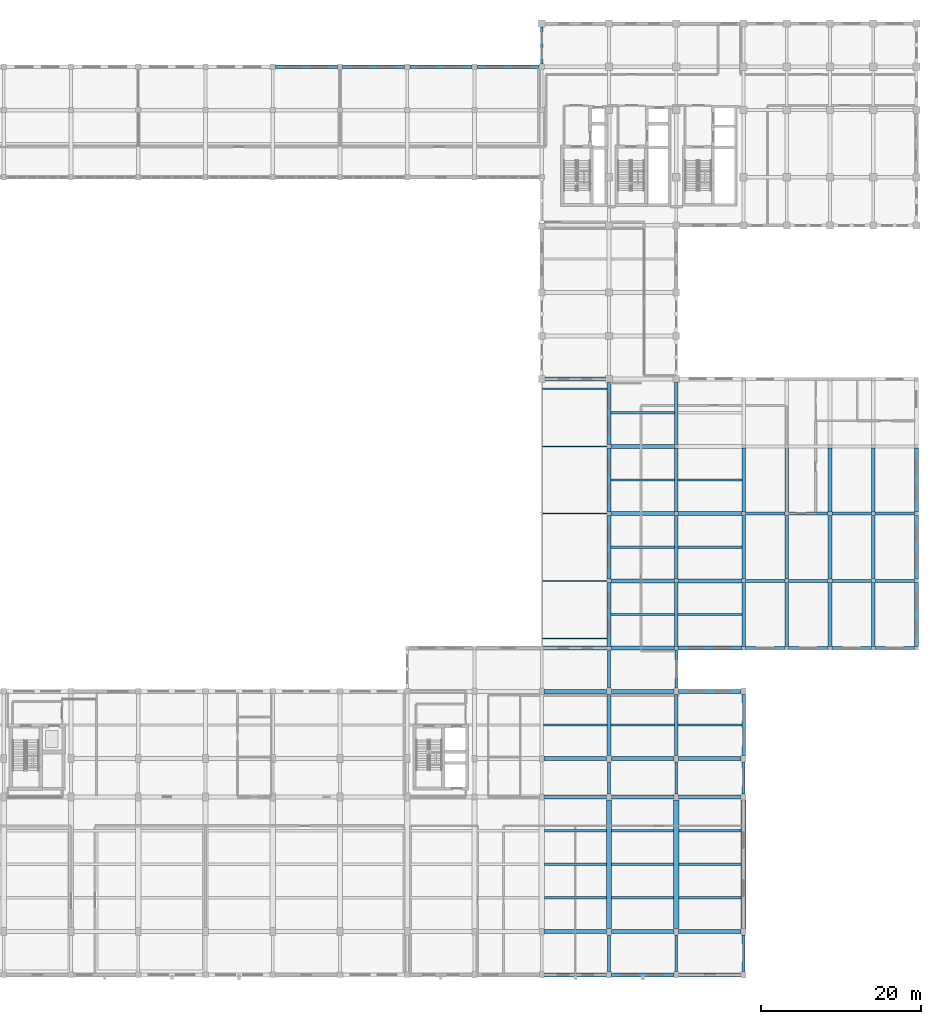
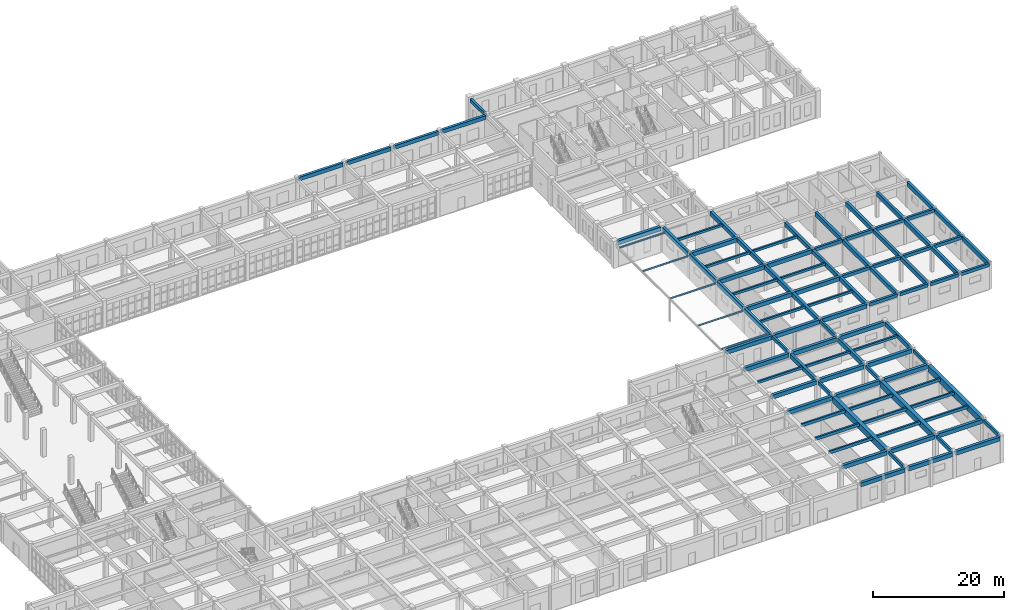
# One storey, part 41 of 80: 97 beams, 5 members.
"""IFC4 building model written with IfcOpenShell, lengths in metres."""

from ifc_helpers import new_model, si_unit, direction, frame, origin, origin_2d, place, context, subcontext, project, spatial, rectangle, i_section, extrude, material, material_profile, profile_set, type_object, element, save


model = new_model("IFC4")

# Units and contexts
model_context = context("Model", 3, precision=1e-05, world=origin(), true_north=direction((0.0, 1.0)))
body_context = subcontext(model_context, "Body", "Model", "MODEL_VIEW")
ifc_project = project(units=[si_unit("LENGTHUNIT", "METRE"), si_unit("AREAUNIT", "SQUARE_METRE"), si_unit("VOLUMEUNIT", "CUBIC_METRE"), si_unit("PLANEANGLEUNIT", "RADIAN"), si_unit("MASSUNIT", "GRAM", prefix="KILO")], contexts=[model_context])

# Site, building, storey
site_placement = place(None, origin())
site = spatial("IfcSite", under=ifc_project, at=site_placement, CompositionType="ELEMENT")
building_placement = place(site_placement, origin())
building = spatial("IfcBuilding", under=site, at=building_placement, Name="Krzemoval Escarpment Law Courts", CompositionType="ELEMENT")
storey_placement = place(building_placement, origin())
storey = spatial("IfcBuildingStorey", under=building, at=storey_placement, Name="L00", CompositionType="ELEMENT", Elevation=0.0)

# Beams
ifc_material_1 = material(Name="Concrete C50/60", Category="concrete")
ifc_material_profile_1 = material_profile(ifc_material_1, rectangle(XDim=0.64990234375, YDim=1.14990234375, at=origin_2d()), Name="PTG 650x1150")
ifc_profile_set_1 = profile_set([ifc_material_profile_1], Name="Concrete C50/60")
beam_type_1 = type_object("IfcBeamType", Name="BM-PTG-650x1150", PredefinedType="BEAM", material=ifc_profile_set_1)
for number, where, z_axis, x_axis, name in (
    (1, (134.39990234375, 5.800048828125, 4.2451171875), (0.0, 1.0, 0.0), (-1.0, 0.0, 0.0), "Beam FG-L00-0963"),
    (2, (142.800048828125, 5.800048828125, 4.2451171875), (0.0, 1.0, 0.0), (-1.0, 0.0, 0.0), "Beam FG-L00-0979"),
    (3, (151.199951171875, 5.800048828125, 4.2451171875), (0.0, 1.0, 0.0), (-1.0, 0.0, 0.0), "Beam FG-L00-0995"),
):
    element("IfcBeam", number, at=place(storey_placement, frame(where, z_axis=z_axis, x_axis=x_axis)), inside=storey, type_object=beam_type_1, Name=name, PredefinedType="BEAM", context=body_context, shape_type="SweptSolid", body=[
        extrude(rectangle(XDim=0.64990234375, YDim=1.14990234375, at=origin_2d()), origin(), (0.0, 0.0, 1.0), 16.0),
    ])
ifc_material_2 = material(Name="Concrete C40/50", Category="concrete")
ifc_material_profile_2 = material_profile(ifc_material_2, rectangle(XDim=0.35009765625, YDim=0.64990234375, at=origin_2d()), Name="RCB 350x650")
ifc_profile_set_2 = profile_set([ifc_material_profile_2], Name="Concrete C40/50")
beam_type_2 = type_object("IfcBeamType", Name="BM-RC-350x650", PredefinedType="BEAM", material=ifc_profile_set_2)
beam_1_placement = place(storey_placement, frame((126.0, 113.72509765625, 4.4951171875), z_axis=(0.0, 1.0, 0.0), x_axis=(-1.0, 0.0, 0.0)))
element("IfcBeam", 4, at=beam_1_placement, inside=storey, type_object=beam_type_2, Name="Beam FG-L00-0961", PredefinedType="BEAM", context=body_context, shape_type="SweptSolid", body=[
    extrude(rectangle(XDim=0.35009765625, YDim=0.64990234375, at=origin_2d()), origin(), (0.0, 0.0, 1.0), 4.625),
])
beam_2_placement = place(storey_placement, frame((134.39990234375, 0.39990234375, 4.4951171875), z_axis=(0.0, 1.0, 0.0), x_axis=(-1.0, 0.0, 0.0)))
element("IfcBeam", 5, at=beam_2_placement, inside=storey, type_object=beam_type_2, Name="Beam FG-L00-0962", PredefinedType="BEAM", context=body_context, shape_type="SweptSolid", body=[
    extrude(rectangle(XDim=0.35009765625, YDim=0.64990234375, at=origin_2d()), origin(), (0.0, 0.0, 1.0), 4.60009765625),
])
beam_3_placement = place(storey_placement, frame((134.39990234375, 22.60009765625, 4.4951171875), z_axis=(0.0, 1.0, 0.0), x_axis=(-1.0, 0.0, 0.0)))
element("IfcBeam", 6, at=beam_3_placement, inside=storey, type_object=beam_type_2, Name="Beam FG-L00-0964", PredefinedType="BEAM", context=body_context, shape_type="SweptSolid", body=[
    extrude(rectangle(XDim=0.35009765625, YDim=0.64990234375, at=origin_2d()), origin(), (0.0, 0.0, 1.0), 4.0),
])
beam_4_placement = place(storey_placement, frame((134.39990234375, 35.800048828125, 4.4951171875), z_axis=(0.0, 1.0, 0.0), x_axis=(-1.0, 0.0, 0.0)))
element("IfcBeam", 7, at=beam_4_placement, inside=storey, type_object=beam_type_2, Name="Beam FG-L00-0966", PredefinedType="BEAM", context=body_context, shape_type="SweptSolid", body=[
    extrude(rectangle(XDim=0.35009765625, YDim=0.64990234375, at=origin_2d()), origin(), (0.0, 0.0, 1.0), 4.77490234375),
])
beam_5_placement = place(storey_placement, frame((142.800048828125, 0.39990234375, 4.4951171875), z_axis=(0.0, 1.0, 0.0), x_axis=(-1.0, 0.0, 0.0)))
element("IfcBeam", 8, at=beam_5_placement, inside=storey, type_object=beam_type_2, Name="Beam FG-L00-0978", PredefinedType="BEAM", context=body_context, shape_type="SweptSolid", body=[
    extrude(rectangle(XDim=0.35009765625, YDim=0.64990234375, at=origin_2d()), origin(), (0.0, 0.0, 1.0), 4.60009765625),
])
beam_6_placement = place(storey_placement, frame((142.800048828125, 22.60009765625, 4.4951171875), z_axis=(0.0, 1.0, 0.0), x_axis=(-1.0, 0.0, 0.0)))
element("IfcBeam", 9, at=beam_6_placement, inside=storey, type_object=beam_type_2, Name="Beam FG-L00-0980", PredefinedType="BEAM", context=body_context, shape_type="SweptSolid", body=[
    extrude(rectangle(XDim=0.35009765625, YDim=0.64990234375, at=origin_2d()), origin(), (0.0, 0.0, 1.0), 4.0),
])
beam_7_placement = place(storey_placement, frame((142.800048828125, 35.800048828125, 4.4951171875), z_axis=(0.0, 1.0, 0.0), x_axis=(-1.0, 0.0, 0.0)))
element("IfcBeam", 10, at=beam_7_placement, inside=storey, type_object=beam_type_2, Name="Beam FG-L00-0982", PredefinedType="BEAM", context=body_context, shape_type="SweptSolid", body=[
    extrude(rectangle(XDim=0.35009765625, YDim=0.64990234375, at=origin_2d()), origin(), (0.0, 0.0, 1.0), 4.77490234375),
])
beam_8_placement = place(storey_placement, frame((151.199951171875, 0.39990234375, 4.4951171875), z_axis=(0.0, 1.0, 0.0), x_axis=(-1.0, 0.0, 0.0)))
element("IfcBeam", 11, at=beam_8_placement, inside=storey, type_object=beam_type_2, Name="Beam FG-L00-0994", PredefinedType="BEAM", context=body_context, shape_type="SweptSolid", body=[
    extrude(rectangle(XDim=0.35009765625, YDim=0.64990234375, at=origin_2d()), origin(), (0.0, 0.0, 1.0), 4.60009765625),
])
beam_9_placement = place(storey_placement, frame((151.199951171875, 22.60009765625, 4.4951171875), z_axis=(0.0, 1.0, 0.0), x_axis=(-1.0, 0.0, 0.0)))
element("IfcBeam", 12, at=beam_9_placement, inside=storey, type_object=beam_type_2, Name="Beam FG-L00-0996", PredefinedType="BEAM", context=body_context, shape_type="SweptSolid", body=[
    extrude(rectangle(XDim=0.35009765625, YDim=0.64990234375, at=origin_2d()), origin(), (0.0, 0.0, 1.0), 4.0),
])
ifc_material_3 = material(Name="Concrete C40/50", Category="concrete")
ifc_material_profile_3 = material_profile(ifc_material_3, rectangle(XDim=0.39990234375, YDim=0.60009765625, at=origin_2d()), Name="RCB 400x600")
ifc_profile_set_3 = profile_set([ifc_material_profile_3], Name="Concrete C40/50")
beam_type_3 = type_object("IfcBeamType", Name="BM-RC-400x600", PredefinedType="BEAM", material=ifc_profile_set_3)
for number, where, z_axis, x_axis, name in (
    (13, (151.425048828125, 40.800048828125, 4.52001953125), (1.0, 0.0, 0.0), (0.0, 1.0, 0.0), "Beam FG-L00-0683"),
    (14, (156.824951171875, 40.800048828125, 4.52001953125), (1.0, 0.0, 0.0), (0.0, 1.0, 0.0), "Beam FG-L00-0684"),
    (15, (162.22509765625, 40.800048828125, 4.52001953125), (1.0, 0.0, 0.0), (0.0, 1.0, 0.0), "Beam FG-L00-0685"),
    (16, (167.625, 40.800048828125, 4.52001953125), (1.0, 0.0, 0.0), (0.0, 1.0, 0.0), "Beam FG-L00-0686"),
    (17, (151.425048828125, 49.199951171875, 4.52001953125), (1.0, 0.0, 0.0), (0.0, 1.0, 0.0), "Beam FG-L00-0693"),
    (18, (156.824951171875, 49.199951171875, 4.52001953125), (1.0, 0.0, 0.0), (0.0, 1.0, 0.0), "Beam FG-L00-0694"),
    (19, (162.22509765625, 49.199951171875, 4.52001953125), (1.0, 0.0, 0.0), (0.0, 1.0, 0.0), "Beam FG-L00-0695"),
    (20, (167.625, 49.199951171875, 4.52001953125), (1.0, 0.0, 0.0), (0.0, 1.0, 0.0), "Beam FG-L00-0696"),
    (21, (151.425048828125, 57.60009765625, 4.52001953125), (1.0, 0.0, 0.0), (0.0, 1.0, 0.0), "Beam FG-L00-0701"),
    (22, (156.824951171875, 57.60009765625, 4.52001953125), (1.0, 0.0, 0.0), (0.0, 1.0, 0.0), "Beam FG-L00-0702"),
    (23, (162.22509765625, 57.60009765625, 4.52001953125), (1.0, 0.0, 0.0), (0.0, 1.0, 0.0), "Beam FG-L00-0703"),
    (24, (167.625, 57.60009765625, 4.52001953125), (1.0, 0.0, 0.0), (0.0, 1.0, 0.0), "Beam FG-L00-0704"),
):
    element("IfcBeam", number, at=place(storey_placement, frame(where, z_axis=z_axis, x_axis=x_axis)), inside=storey, type_object=beam_type_3, Name=name, PredefinedType="BEAM", context=body_context, shape_type="SweptSolid", body=[
        extrude(rectangle(XDim=0.39990234375, YDim=0.60009765625, at=origin_2d()), origin(), (0.0, 0.0, 1.0), 4.949951171875),
    ])
ifc_material_4 = material(Name="Concrete C40/50", Category="concrete")
ifc_material_profile_4 = material_profile(ifc_material_4, rectangle(XDim=0.449951171875, YDim=0.699951171875, at=origin_2d()), Name="RCB 450x700")
ifc_profile_set_4 = profile_set([ifc_material_profile_4], Name="Concrete C40/50")
beam_type_4 = type_object("IfcBeamType", Name="BM-RC-450x700", PredefinedType="BEAM", material=ifc_profile_set_4)
for number, where, z_axis, x_axis, name in (
    (25, (92.72509765625, 113.39990234375, 4.469970703125), (1.0, 0.0, 0.0), (0.0, 1.0, 0.0), "Beam FG-L00-0790"),
    (26, (101.125, 113.39990234375, 4.469970703125), (1.0, 0.0, 0.0), (0.0, 1.0, 0.0), "Beam FG-L00-0791"),
    (27, (109.52490234375, 113.39990234375, 4.469970703125), (1.0, 0.0, 0.0), (0.0, 1.0, 0.0), "Beam FG-L00-0792"),
    (28, (117.925048828125, 113.39990234375, 4.469970703125), (1.0, 0.0, 0.0), (0.0, 1.0, 0.0), "Beam FG-L00-0793"),
):
    element("IfcBeam", number, at=place(storey_placement, frame(where, z_axis=z_axis, x_axis=x_axis)), inside=storey, type_object=beam_type_4, Name=name, PredefinedType="BEAM", context=body_context, shape_type="SweptSolid", body=[
        extrude(rectangle(XDim=0.449951171875, YDim=0.699951171875, at=origin_2d()), origin(), (0.0, 0.0, 1.0), 7.75),
    ])
ifc_material_5 = material(Name="Concrete C40/50", Category="concrete")
ifc_material_profile_5 = material_profile(ifc_material_5, rectangle(XDim=0.449951171875, YDim=0.800048828125, at=origin_2d()), Name="RCB 450x800")
ifc_profile_set_5 = profile_set([ifc_material_profile_5], Name="Concrete C40/50")
beam_type_5 = type_object("IfcBeamType", Name="BM-RC-450x800", PredefinedType="BEAM", material=ifc_profile_set_5)
beam_10_placement = place(storey_placement, frame((134.39990234375, 27.39990234375, 4.419921875), z_axis=(0.0, 1.0, 0.0), x_axis=(-1.0, 0.0, 0.0)))
element("IfcBeam", 29, at=beam_10_placement, inside=storey, type_object=beam_type_5, Name="Beam FG-L00-0965", PredefinedType="BEAM", context=body_context, shape_type="SweptSolid", body=[
    extrude(rectangle(XDim=0.449951171875, YDim=0.800048828125, at=origin_2d()), origin(), (0.0, 0.0, 1.0), 7.60009765625),
])
beam_11_placement = place(storey_placement, frame((134.39990234375, 41.02490234375, 4.419921875), z_axis=(0.0, 1.0, 0.0), x_axis=(-1.0, 0.0, 0.0)))
element("IfcBeam", 30, at=beam_11_placement, inside=storey, type_object=beam_type_5, Name="Beam FG-L00-0967", PredefinedType="BEAM", context=body_context, shape_type="SweptSolid", body=[
    extrude(rectangle(XDim=0.449951171875, YDim=0.800048828125, at=origin_2d()), origin(), (0.0, 0.0, 1.0), 7.9501953125),
])
for number, where, z_axis, x_axis, name in (
    (31, (134.39990234375, 49.425048828125, 4.419921875), (0.0, 1.0, 0.0), (-1.0, 0.0, 0.0), "Beam FG-L00-0968"),
    (32, (134.39990234375, 57.824951171875, 4.419921875), (0.0, 1.0, 0.0), (-1.0, 0.0, 0.0), "Beam FG-L00-0969"),
):
    element("IfcBeam", number, at=place(storey_placement, frame(where, z_axis=z_axis, x_axis=x_axis)), inside=storey, type_object=beam_type_5, Name=name, PredefinedType="BEAM", context=body_context, shape_type="SweptSolid", body=[
        extrude(rectangle(XDim=0.449951171875, YDim=0.800048828125, at=origin_2d()), origin(), (0.0, 0.0, 1.0), 7.949951171875),
    ])
beam_12_placement = place(storey_placement, frame((134.39990234375, 66.22509765625, 4.419921875), z_axis=(0.0, 1.0, 0.0), x_axis=(-1.0, 0.0, 0.0)))
element("IfcBeam", 33, at=beam_12_placement, inside=storey, type_object=beam_type_5, Name="Beam FG-L00-0970", PredefinedType="BEAM", context=body_context, shape_type="SweptSolid", body=[
    extrude(rectangle(XDim=0.449951171875, YDim=0.800048828125, at=origin_2d()), origin(), (0.0, 0.0, 1.0), 7.75),
])
beam_13_placement = place(storey_placement, frame((142.800048828125, 27.39990234375, 4.419921875), z_axis=(0.0, 1.0, 0.0), x_axis=(-1.0, 0.0, 0.0)))
element("IfcBeam", 34, at=beam_13_placement, inside=storey, type_object=beam_type_5, Name="Beam FG-L00-0981", PredefinedType="BEAM", context=body_context, shape_type="SweptSolid", body=[
    extrude(rectangle(XDim=0.449951171875, YDim=0.800048828125, at=origin_2d()), origin(), (0.0, 0.0, 1.0), 7.60009765625),
])
beam_14_placement = place(storey_placement, frame((142.800048828125, 41.02490234375, 4.419921875), z_axis=(0.0, 1.0, 0.0), x_axis=(-1.0, 0.0, 0.0)))
element("IfcBeam", 35, at=beam_14_placement, inside=storey, type_object=beam_type_5, Name="Beam FG-L00-0983", PredefinedType="BEAM", context=body_context, shape_type="SweptSolid", body=[
    extrude(rectangle(XDim=0.449951171875, YDim=0.800048828125, at=origin_2d()), origin(), (0.0, 0.0, 1.0), 7.9501953125),
])
for number, where, z_axis, x_axis, name in (
    (36, (142.800048828125, 49.425048828125, 4.419921875), (0.0, 1.0, 0.0), (-1.0, 0.0, 0.0), "Beam FG-L00-0984"),
    (37, (142.800048828125, 57.824951171875, 4.419921875), (0.0, 1.0, 0.0), (-1.0, 0.0, 0.0), "Beam FG-L00-0985"),
):
    element("IfcBeam", number, at=place(storey_placement, frame(where, z_axis=z_axis, x_axis=x_axis)), inside=storey, type_object=beam_type_5, Name=name, PredefinedType="BEAM", context=body_context, shape_type="SweptSolid", body=[
        extrude(rectangle(XDim=0.449951171875, YDim=0.800048828125, at=origin_2d()), origin(), (0.0, 0.0, 1.0), 7.949951171875),
    ])
beam_15_placement = place(storey_placement, frame((142.800048828125, 66.22509765625, 4.419921875), z_axis=(0.0, 1.0, 0.0), x_axis=(-1.0, 0.0, 0.0)))
element("IfcBeam", 38, at=beam_15_placement, inside=storey, type_object=beam_type_5, Name="Beam FG-L00-0986", PredefinedType="BEAM", context=body_context, shape_type="SweptSolid", body=[
    extrude(rectangle(XDim=0.449951171875, YDim=0.800048828125, at=origin_2d()), origin(), (0.0, 0.0, 1.0), 7.75),
])
beam_16_placement = place(storey_placement, frame((151.199951171875, 27.39990234375, 4.419921875), z_axis=(0.0, 1.0, 0.0), x_axis=(-1.0, 0.0, 0.0)))
element("IfcBeam", 39, at=beam_16_placement, inside=storey, type_object=beam_type_5, Name="Beam FG-L00-0997", PredefinedType="BEAM", context=body_context, shape_type="SweptSolid", body=[
    extrude(rectangle(XDim=0.449951171875, YDim=0.800048828125, at=origin_2d()), origin(), (0.0, 0.0, 1.0), 7.60009765625),
])
beam_17_placement = place(storey_placement, frame((151.199951171875, 41.02490234375, 4.419921875), z_axis=(0.0, 1.0, 0.0), x_axis=(-1.0, 0.0, 0.0)))
element("IfcBeam", 40, at=beam_17_placement, inside=storey, type_object=beam_type_5, Name="Beam FG-L00-0998", PredefinedType="BEAM", context=body_context, shape_type="SweptSolid", body=[
    extrude(rectangle(XDim=0.449951171875, YDim=0.800048828125, at=origin_2d()), origin(), (0.0, 0.0, 1.0), 7.9501953125),
])
for number, where, z_axis, x_axis, name in (
    (41, (151.199951171875, 49.425048828125, 4.419921875), (0.0, 1.0, 0.0), (-1.0, 0.0, 0.0), "Beam FG-L00-0999"),
    (42, (151.199951171875, 57.824951171875, 4.419921875), (0.0, 1.0, 0.0), (-1.0, 0.0, 0.0), "Beam FG-L00-1000"),
):
    element("IfcBeam", number, at=place(storey_placement, frame(where, z_axis=z_axis, x_axis=x_axis)), inside=storey, type_object=beam_type_5, Name=name, PredefinedType="BEAM", context=body_context, shape_type="SweptSolid", body=[
        extrude(rectangle(XDim=0.449951171875, YDim=0.800048828125, at=origin_2d()), origin(), (0.0, 0.0, 1.0), 7.949951171875),
    ])
beam_18_placement = place(storey_placement, frame((156.60009765625, 41.02490234375, 4.419921875), z_axis=(0.0, 1.0, 0.0), x_axis=(-1.0, 0.0, 0.0)))
element("IfcBeam", 43, at=beam_18_placement, inside=storey, type_object=beam_type_5, Name="Beam FG-L00-1006", PredefinedType="BEAM", context=body_context, shape_type="SweptSolid", body=[
    extrude(rectangle(XDim=0.449951171875, YDim=0.800048828125, at=origin_2d()), origin(), (0.0, 0.0, 1.0), 7.9501953125),
])
for number, where, z_axis, x_axis, name in (
    (44, (156.60009765625, 49.425048828125, 4.419921875), (0.0, 1.0, 0.0), (-1.0, 0.0, 0.0), "Beam FG-L00-1007"),
    (45, (156.60009765625, 57.824951171875, 4.419921875), (0.0, 1.0, 0.0), (-1.0, 0.0, 0.0), "Beam FG-L00-1008"),
):
    element("IfcBeam", number, at=place(storey_placement, frame(where, z_axis=z_axis, x_axis=x_axis)), inside=storey, type_object=beam_type_5, Name=name, PredefinedType="BEAM", context=body_context, shape_type="SweptSolid", body=[
        extrude(rectangle(XDim=0.449951171875, YDim=0.800048828125, at=origin_2d()), origin(), (0.0, 0.0, 1.0), 7.949951171875),
    ])
beam_19_placement = place(storey_placement, frame((162.0, 41.02490234375, 4.419921875), z_axis=(0.0, 1.0, 0.0), x_axis=(-1.0, 0.0, 0.0)))
element("IfcBeam", 46, at=beam_19_placement, inside=storey, type_object=beam_type_5, Name="Beam FG-L00-1014", PredefinedType="BEAM", context=body_context, shape_type="SweptSolid", body=[
    extrude(rectangle(XDim=0.449951171875, YDim=0.800048828125, at=origin_2d()), origin(), (0.0, 0.0, 1.0), 7.9501953125),
])
for number, where, z_axis, x_axis, name in (
    (47, (162.0, 49.425048828125, 4.419921875), (0.0, 1.0, 0.0), (-1.0, 0.0, 0.0), "Beam FG-L00-1015"),
    (48, (162.0, 57.824951171875, 4.419921875), (0.0, 1.0, 0.0), (-1.0, 0.0, 0.0), "Beam FG-L00-1016"),
):
    element("IfcBeam", number, at=place(storey_placement, frame(where, z_axis=z_axis, x_axis=x_axis)), inside=storey, type_object=beam_type_5, Name=name, PredefinedType="BEAM", context=body_context, shape_type="SweptSolid", body=[
        extrude(rectangle(XDim=0.449951171875, YDim=0.800048828125, at=origin_2d()), origin(), (0.0, 0.0, 1.0), 7.949951171875),
    ])
beam_20_placement = place(storey_placement, frame((167.39990234375, 41.02490234375, 4.419921875), z_axis=(0.0, 1.0, 0.0), x_axis=(-1.0, 0.0, 0.0)))
element("IfcBeam", 49, at=beam_20_placement, inside=storey, type_object=beam_type_5, Name="Beam FG-L00-1022", PredefinedType="BEAM", context=body_context, shape_type="SweptSolid", body=[
    extrude(rectangle(XDim=0.449951171875, YDim=0.800048828125, at=origin_2d()), origin(), (0.0, 0.0, 1.0), 7.9501953125),
])
for number, where, z_axis, x_axis, name in (
    (50, (167.39990234375, 49.425048828125, 4.419921875), (0.0, 1.0, 0.0), (-1.0, 0.0, 0.0), "Beam FG-L00-1023"),
    (51, (167.39990234375, 57.824951171875, 4.419921875), (0.0, 1.0, 0.0), (-1.0, 0.0, 0.0), "Beam FG-L00-1024"),
):
    element("IfcBeam", number, at=place(storey_placement, frame(where, z_axis=z_axis, x_axis=x_axis)), inside=storey, type_object=beam_type_5, Name=name, PredefinedType="BEAM", context=body_context, shape_type="SweptSolid", body=[
        extrude(rectangle(XDim=0.449951171875, YDim=0.800048828125, at=origin_2d()), origin(), (0.0, 0.0, 1.0), 7.949951171875),
    ])
beam_21_placement = place(storey_placement, frame((172.800048828125, 41.02490234375, 4.419921875), z_axis=(0.0, 1.0, 0.0), x_axis=(-1.0, 0.0, 0.0)))
element("IfcBeam", 52, at=beam_21_placement, inside=storey, type_object=beam_type_5, Name="Beam FG-L00-1030", PredefinedType="BEAM", context=body_context, shape_type="SweptSolid", body=[
    extrude(rectangle(XDim=0.449951171875, YDim=0.800048828125, at=origin_2d()), origin(), (0.0, 0.0, 1.0), 7.9501953125),
])
for number, where, z_axis, x_axis, name in (
    (53, (172.800048828125, 49.425048828125, 4.419921875), (0.0, 1.0, 0.0), (-1.0, 0.0, 0.0), "Beam FG-L00-1031"),
    (54, (172.800048828125, 57.824951171875, 4.419921875), (0.0, 1.0, 0.0), (-1.0, 0.0, 0.0), "Beam FG-L00-1032"),
):
    element("IfcBeam", number, at=place(storey_placement, frame(where, z_axis=z_axis, x_axis=x_axis)), inside=storey, type_object=beam_type_5, Name=name, PredefinedType="BEAM", context=body_context, shape_type="SweptSolid", body=[
        extrude(rectangle(XDim=0.449951171875, YDim=0.800048828125, at=origin_2d()), origin(), (0.0, 0.0, 1.0), 7.949951171875),
    ])
ifc_material_6 = material(Name="Concrete C40/50", Category="concrete")
ifc_material_profile_6 = material_profile(ifc_material_6, rectangle(XDim=0.5, YDim=0.75, at=origin_2d()), Name="RCB 500x750")
ifc_profile_set_6 = profile_set([ifc_material_profile_6], Name="Concrete C40/50")
beam_type_6 = type_object("IfcBeamType", Name="BM-RC-500x750", PredefinedType="BEAM", material=ifc_profile_set_6)
for number, where, z_axis, x_axis, name in (
    (55, (126.300048828125, 0.0, 4.445068359375), (1.0, 0.0, 0.0), (0.0, 1.0, 0.0), "Beam FG-L00-0602"),
    (56, (134.699951171875, 0.0, 4.445068359375), (1.0, 0.0, 0.0), (0.0, 1.0, 0.0), "Beam FG-L00-0603"),
):
    element("IfcBeam", number, at=place(storey_placement, frame(where, z_axis=z_axis, x_axis=x_axis)), inside=storey, type_object=beam_type_6, Name=name, PredefinedType="BEAM", context=body_context, shape_type="SweptSolid", body=[
        extrude(rectangle(XDim=0.5, YDim=0.75, at=origin_2d()), origin(), (0.0, 0.0, 1.0), 7.800048828125),
    ])
beam_22_placement = place(storey_placement, frame((143.10009765625, 0.0, 4.445068359375), z_axis=(1.0, 0.0, 0.0), x_axis=(0.0, 1.0, 0.0)))
element("IfcBeam", 57, at=beam_22_placement, inside=storey, type_object=beam_type_6, Name="Beam FG-L00-0604", PredefinedType="BEAM", context=body_context, shape_type="SweptSolid", body=[
    extrude(rectangle(XDim=0.5, YDim=0.75, at=origin_2d()), origin(), (0.0, 0.0, 1.0), 7.7998046875),
])
for number, where, z_axis, x_axis, name in (
    (58, (126.300048828125, 5.39990234375, 4.445068359375), (1.0, 0.0, 0.0), (0.0, 1.0, 0.0), "Beam FG-L00-0620"),
    (59, (134.699951171875, 5.39990234375, 4.445068359375), (1.0, 0.0, 0.0), (0.0, 1.0, 0.0), "Beam FG-L00-0621"),
):
    element("IfcBeam", number, at=place(storey_placement, frame(where, z_axis=z_axis, x_axis=x_axis)), inside=storey, type_object=beam_type_6, Name=name, PredefinedType="BEAM", context=body_context, shape_type="SweptSolid", body=[
        extrude(rectangle(XDim=0.5, YDim=0.75, at=origin_2d()), origin(), (0.0, 0.0, 1.0), 7.800048828125),
    ])
beam_23_placement = place(storey_placement, frame((143.10009765625, 5.39990234375, 4.445068359375), z_axis=(1.0, 0.0, 0.0), x_axis=(0.0, 1.0, 0.0)))
element("IfcBeam", 60, at=beam_23_placement, inside=storey, type_object=beam_type_6, Name="Beam FG-L00-0622", PredefinedType="BEAM", context=body_context, shape_type="SweptSolid", body=[
    extrude(rectangle(XDim=0.5, YDim=0.75, at=origin_2d()), origin(), (0.0, 0.0, 1.0), 7.7998046875),
])
for number, where, z_axis, x_axis, name in (
    (61, (126.300048828125, 22.199951171875, 4.445068359375), (1.0, 0.0, 0.0), (0.0, 1.0, 0.0), "Beam FG-L00-0638"),
    (62, (134.699951171875, 22.199951171875, 4.445068359375), (1.0, 0.0, 0.0), (0.0, 1.0, 0.0), "Beam FG-L00-0639"),
):
    element("IfcBeam", number, at=place(storey_placement, frame(where, z_axis=z_axis, x_axis=x_axis)), inside=storey, type_object=beam_type_6, Name=name, PredefinedType="BEAM", context=body_context, shape_type="SweptSolid", body=[
        extrude(rectangle(XDim=0.5, YDim=0.75, at=origin_2d()), origin(), (0.0, 0.0, 1.0), 7.800048828125),
    ])
beam_24_placement = place(storey_placement, frame((143.10009765625, 22.199951171875, 4.445068359375), z_axis=(1.0, 0.0, 0.0), x_axis=(0.0, 1.0, 0.0)))
element("IfcBeam", 63, at=beam_24_placement, inside=storey, type_object=beam_type_6, Name="Beam FG-L00-0640", PredefinedType="BEAM", context=body_context, shape_type="SweptSolid", body=[
    extrude(rectangle(XDim=0.5, YDim=0.75, at=origin_2d()), origin(), (0.0, 0.0, 1.0), 7.7998046875),
])
for number, where, z_axis, x_axis, name in (
    (64, (126.300048828125, 27.0, 4.445068359375), (1.0, 0.0, 0.0), (0.0, 1.0, 0.0), "Beam FG-L00-0654"),
    (65, (134.699951171875, 27.0, 4.445068359375), (1.0, 0.0, 0.0), (0.0, 1.0, 0.0), "Beam FG-L00-0655"),
):
    element("IfcBeam", number, at=place(storey_placement, frame(where, z_axis=z_axis, x_axis=x_axis)), inside=storey, type_object=beam_type_6, Name=name, PredefinedType="BEAM", context=body_context, shape_type="SweptSolid", body=[
        extrude(rectangle(XDim=0.5, YDim=0.75, at=origin_2d()), origin(), (0.0, 0.0, 1.0), 7.800048828125),
    ])
beam_25_placement = place(storey_placement, frame((143.10009765625, 27.0, 4.445068359375), z_axis=(1.0, 0.0, 0.0), x_axis=(0.0, 1.0, 0.0)))
element("IfcBeam", 66, at=beam_25_placement, inside=storey, type_object=beam_type_6, Name="Beam FG-L00-0656", PredefinedType="BEAM", context=body_context, shape_type="SweptSolid", body=[
    extrude(rectangle(XDim=0.5, YDim=0.75, at=origin_2d()), origin(), (0.0, 0.0, 1.0), 7.7998046875),
])
for number, where, z_axis, x_axis, name in (
    (67, (126.300048828125, 35.39990234375, 4.445068359375), (1.0, 0.0, 0.0), (0.0, 1.0, 0.0), "Beam FG-L00-0672"),
    (68, (134.699951171875, 35.39990234375, 4.445068359375), (1.0, 0.0, 0.0), (0.0, 1.0, 0.0), "Beam FG-L00-0673"),
):
    element("IfcBeam", number, at=place(storey_placement, frame(where, z_axis=z_axis, x_axis=x_axis)), inside=storey, type_object=beam_type_6, Name=name, PredefinedType="BEAM", context=body_context, shape_type="SweptSolid", body=[
        extrude(rectangle(XDim=0.5, YDim=0.75, at=origin_2d()), origin(), (0.0, 0.0, 1.0), 7.800048828125),
    ])
beam_26_placement = place(storey_placement, frame((143.10009765625, 35.39990234375, 4.445068359375), z_axis=(1.0, 0.0, 0.0), x_axis=(0.0, 1.0, 0.0)))
element("IfcBeam", 69, at=beam_26_placement, inside=storey, type_object=beam_type_6, Name="Beam FG-L00-0674", PredefinedType="BEAM", context=body_context, shape_type="SweptSolid", body=[
    extrude(rectangle(XDim=0.5, YDim=0.75, at=origin_2d()), origin(), (0.0, 0.0, 1.0), 7.7998046875),
])
for number, where, z_axis, x_axis, name in (
    (70, (126.22509765625, 40.800048828125, 4.445068359375), (1.0, 0.0, 0.0), (0.0, 1.0, 0.0), "Beam FG-L00-0680"),
    (71, (134.625, 40.800048828125, 4.445068359375), (1.0, 0.0, 0.0), (0.0, 1.0, 0.0), "Beam FG-L00-0681"),
):
    element("IfcBeam", number, at=place(storey_placement, frame(where, z_axis=z_axis, x_axis=x_axis)), inside=storey, type_object=beam_type_6, Name=name, PredefinedType="BEAM", context=body_context, shape_type="SweptSolid", body=[
        extrude(rectangle(XDim=0.5, YDim=0.75, at=origin_2d()), origin(), (0.0, 0.0, 1.0), 7.949951171875),
    ])
beam_27_placement = place(storey_placement, frame((143.02490234375, 40.800048828125, 4.445068359375), z_axis=(1.0, 0.0, 0.0), x_axis=(0.0, 1.0, 0.0)))
element("IfcBeam", 72, at=beam_27_placement, inside=storey, type_object=beam_type_6, Name="Beam FG-L00-0682", PredefinedType="BEAM", context=body_context, shape_type="SweptSolid", body=[
    extrude(rectangle(XDim=0.5, YDim=0.75, at=origin_2d()), origin(), (0.0, 0.0, 1.0), 7.9501953125),
])
beam_28_placement = place(storey_placement, frame((134.625, 49.199951171875, 4.445068359375), z_axis=(1.0, 0.0, 0.0), x_axis=(0.0, 1.0, 0.0)))
element("IfcBeam", 73, at=beam_28_placement, inside=storey, type_object=beam_type_6, Name="Beam FG-L00-0691", PredefinedType="BEAM", context=body_context, shape_type="SweptSolid", body=[
    extrude(rectangle(XDim=0.5, YDim=0.75, at=origin_2d()), origin(), (0.0, 0.0, 1.0), 7.949951171875),
])
beam_29_placement = place(storey_placement, frame((143.02490234375, 49.199951171875, 4.445068359375), z_axis=(1.0, 0.0, 0.0), x_axis=(0.0, 1.0, 0.0)))
element("IfcBeam", 74, at=beam_29_placement, inside=storey, type_object=beam_type_6, Name="Beam FG-L00-0692", PredefinedType="BEAM", context=body_context, shape_type="SweptSolid", body=[
    extrude(rectangle(XDim=0.5, YDim=0.75, at=origin_2d()), origin(), (0.0, 0.0, 1.0), 7.9501953125),
])
beam_30_placement = place(storey_placement, frame((134.625, 57.60009765625, 4.445068359375), z_axis=(1.0, 0.0, 0.0), x_axis=(0.0, 1.0, 0.0)))
element("IfcBeam", 75, at=beam_30_placement, inside=storey, type_object=beam_type_6, Name="Beam FG-L00-0699", PredefinedType="BEAM", context=body_context, shape_type="SweptSolid", body=[
    extrude(rectangle(XDim=0.5, YDim=0.75, at=origin_2d()), origin(), (0.0, 0.0, 1.0), 7.949951171875),
])
beam_31_placement = place(storey_placement, frame((143.02490234375, 57.60009765625, 4.445068359375), z_axis=(1.0, 0.0, 0.0), x_axis=(0.0, 1.0, 0.0)))
element("IfcBeam", 76, at=beam_31_placement, inside=storey, type_object=beam_type_6, Name="Beam FG-L00-0700", PredefinedType="BEAM", context=body_context, shape_type="SweptSolid", body=[
    extrude(rectangle(XDim=0.5, YDim=0.75, at=origin_2d()), origin(), (0.0, 0.0, 1.0), 7.9501953125),
])
beam_32_placement = place(storey_placement, frame((134.625, 66.0, 4.445068359375), z_axis=(1.0, 0.0, 0.0), x_axis=(0.0, 1.0, 0.0)))
element("IfcBeam", 77, at=beam_32_placement, inside=storey, type_object=beam_type_6, Name="Beam FG-L00-0707", PredefinedType="BEAM", context=body_context, shape_type="SweptSolid", body=[
    extrude(rectangle(XDim=0.5, YDim=0.75, at=origin_2d()), origin(), (0.0, 0.0, 1.0), 7.949951171875),
])
beam_33_placement = place(storey_placement, frame((126.425048828125, 74.39990234375, 4.445068359375), z_axis=(1.0, 0.0, 0.0), x_axis=(0.0, 1.0, 0.0)))
element("IfcBeam", 78, at=beam_33_placement, inside=storey, type_object=beam_type_6, Name="Beam FG-L00-0715", PredefinedType="BEAM", context=body_context, shape_type="SweptSolid", body=[
    extrude(rectangle(XDim=0.5, YDim=0.75, at=origin_2d()), origin(), (0.0, 0.0, 1.0), 7.550048828125),
])
ifc_material_7 = material(Name="Concrete C40/50", Category="concrete")
ifc_material_profile_7 = material_profile(ifc_material_7, rectangle(XDim=0.300048828125, YDim=0.449951171875, at=origin_2d()), Name="RCB 300x450")
ifc_profile_set_7 = profile_set([ifc_material_profile_7], Name="Concrete C40/50")
beam_type_7 = type_object("IfcBeamType", Name="JST-RC-300x450", PredefinedType="JOIST", material=ifc_profile_set_7)
for number, where, z_axis, x_axis, name in (
    (79, (126.22509765625, 31.199951171875, 4.594970703125), (1.0, 0.0, 0.0), (0.0, 1.0, 0.0), "Secondary Joist FJ-L00-1126"),
    (80, (134.625, 31.199951171875, 4.594970703125), (1.0, 0.0, 0.0), (0.0, 1.0, 0.0), "Secondary Joist FJ-L00-1131"),
    (81, (134.625, 45.0, 4.594970703125), (1.0, 0.0, 0.0), (0.0, 1.0, 0.0), "Secondary Joist FJ-L00-1132"),
    (82, (134.625, 53.39990234375, 4.594970703125), (1.0, 0.0, 0.0), (0.0, 1.0, 0.0), "Secondary Joist FJ-L00-1133"),
    (83, (134.625, 61.800048828125, 4.594970703125), (1.0, 0.0, 0.0), (0.0, 1.0, 0.0), "Secondary Joist FJ-L00-1134"),
    (84, (134.625, 70.199951171875, 4.594970703125), (1.0, 0.0, 0.0), (0.0, 1.0, 0.0), "Secondary Joist FJ-L00-1135"),
):
    element("IfcBeam", number, at=place(storey_placement, frame(where, z_axis=z_axis, x_axis=x_axis)), inside=storey, type_object=beam_type_7, Name=name, PredefinedType="JOIST", context=body_context, shape_type="SweptSolid", body=[
        extrude(rectangle(XDim=0.300048828125, YDim=0.449951171875, at=origin_2d()), origin(), (0.0, 0.0, 1.0), 7.949951171875),
    ])
for number, where, z_axis, x_axis, name in (
    (85, (143.02490234375, 31.199951171875, 4.594970703125), (1.0, 0.0, 0.0), (0.0, 1.0, 0.0), "Secondary Joist FJ-L00-1140"),
    (86, (143.02490234375, 45.0, 4.594970703125), (1.0, 0.0, 0.0), (0.0, 1.0, 0.0), "Secondary Joist FJ-L00-1141"),
    (87, (143.02490234375, 53.39990234375, 4.594970703125), (1.0, 0.0, 0.0), (0.0, 1.0, 0.0), "Secondary Joist FJ-L00-1142"),
    (88, (143.02490234375, 61.800048828125, 4.594970703125), (1.0, 0.0, 0.0), (0.0, 1.0, 0.0), "Secondary Joist FJ-L00-1143"),
):
    element("IfcBeam", number, at=place(storey_placement, frame(where, z_axis=z_axis, x_axis=x_axis)), inside=storey, type_object=beam_type_7, Name=name, PredefinedType="JOIST", context=body_context, shape_type="SweptSolid", body=[
        extrude(rectangle(XDim=0.300048828125, YDim=0.449951171875, at=origin_2d()), origin(), (0.0, 0.0, 1.0), 7.9501953125),
    ])
ifc_material_8 = material(Name="Concrete C40/50", Category="concrete")
ifc_material_profile_8 = material_profile(ifc_material_8, rectangle(XDim=0.300048828125, YDim=0.550048828125, at=origin_2d()), Name="RCB 300x550")
ifc_profile_set_8 = profile_set([ifc_material_profile_8], Name="Concrete C40/50")
beam_type_8 = type_object("IfcBeamType", Name="JST-RC-300x550", PredefinedType="JOIST", material=ifc_profile_set_8)
for number, where, z_axis, x_axis, name in (
    (89, (126.324951171875, 9.60009765625, 4.544921875), (1.0, 0.0, 0.0), (0.0, 1.0, 0.0), "Secondary Joist FJ-L00-1123"),
    (90, (126.324951171875, 13.800048828125, 4.544921875), (1.0, 0.0, 0.0), (0.0, 1.0, 0.0), "Secondary Joist FJ-L00-1124"),
    (91, (126.324951171875, 18.0, 4.544921875), (1.0, 0.0, 0.0), (0.0, 1.0, 0.0), "Secondary Joist FJ-L00-1125"),
    (92, (134.72509765625, 9.60009765625, 4.544921875), (1.0, 0.0, 0.0), (0.0, 1.0, 0.0), "Secondary Joist FJ-L00-1128"),
    (93, (134.72509765625, 13.800048828125, 4.544921875), (1.0, 0.0, 0.0), (0.0, 1.0, 0.0), "Secondary Joist FJ-L00-1129"),
    (94, (134.72509765625, 18.0, 4.544921875), (1.0, 0.0, 0.0), (0.0, 1.0, 0.0), "Secondary Joist FJ-L00-1130"),
    (95, (143.125, 9.60009765625, 4.544921875), (1.0, 0.0, 0.0), (0.0, 1.0, 0.0), "Secondary Joist FJ-L00-1137"),
    (96, (143.125, 13.800048828125, 4.544921875), (1.0, 0.0, 0.0), (0.0, 1.0, 0.0), "Secondary Joist FJ-L00-1138"),
    (97, (143.125, 18.0, 4.544921875), (1.0, 0.0, 0.0), (0.0, 1.0, 0.0), "Secondary Joist FJ-L00-1139"),
):
    element("IfcBeam", number, at=place(storey_placement, frame(where, z_axis=z_axis, x_axis=x_axis)), inside=storey, type_object=beam_type_8, Name=name, PredefinedType="JOIST", context=body_context, shape_type="SweptSolid", body=[
        extrude(rectangle(XDim=0.300048828125, YDim=0.550048828125, at=origin_2d()), origin(), (0.0, 0.0, 1.0), 7.75),
    ])

# Members
ifc_material_9 = material(Name="Steel S355", Category="steel")
ifc_material_profile_9 = material_profile(ifc_material_9, i_section(OverallWidth=0.14990234375, OverallDepth=0.300048828125, WebThickness=0.007080078125, FlangeThickness=0.0107421875, at=origin_2d()), Name="IPE 300")
ifc_profile_set_9 = profile_set([ifc_material_profile_9], Name="Steel S355")
member_type = type_object("IfcMemberType", Name="MBR-RAF-IPE300", PredefinedType="RAFTER", material=ifc_profile_set_9)
for number, where, z_axis, x_axis, name in (
    (98, (126.090087890625, 42.0, 4.27001953125), (1.0, 0.0, 0.0), (0.0, 1.0, 0.0), "Passage Canopy Rafter RAF-0234"),
    (99, (126.090087890625, 49.199951171875, 4.27001953125), (1.0, 0.0, 0.0), (0.0, 1.0, 0.0), "Passage Canopy Rafter RAF-0235"),
    (100, (126.090087890625, 57.60009765625, 4.27001953125), (1.0, 0.0, 0.0), (0.0, 1.0, 0.0), "Passage Canopy Rafter RAF-0236"),
    (101, (126.090087890625, 66.0, 4.27001953125), (1.0, 0.0, 0.0), (0.0, 1.0, 0.0), "Passage Canopy Rafter RAF-0237"),
    (102, (126.090087890625, 73.199951171875, 4.27001953125), (1.0, 0.0, 0.0), (0.0, 1.0, 0.0), "Passage Canopy Rafter RAF-0238"),
):
    element("IfcMember", number, at=place(storey_placement, frame(where, z_axis=z_axis, x_axis=x_axis)), inside=storey, type_object=member_type, Name=name, PredefinedType="RAFTER", context=body_context, shape_type="SweptSolid", body=[
        extrude(i_section(OverallWidth=0.14990234375, OverallDepth=0.300048828125, WebThickness=0.007080078125, FlangeThickness=0.0107421875, at=origin_2d()), origin(), (0.0, 0.0, 1.0), 8.0849609375),
    ])

save(model, "model.ifc")
